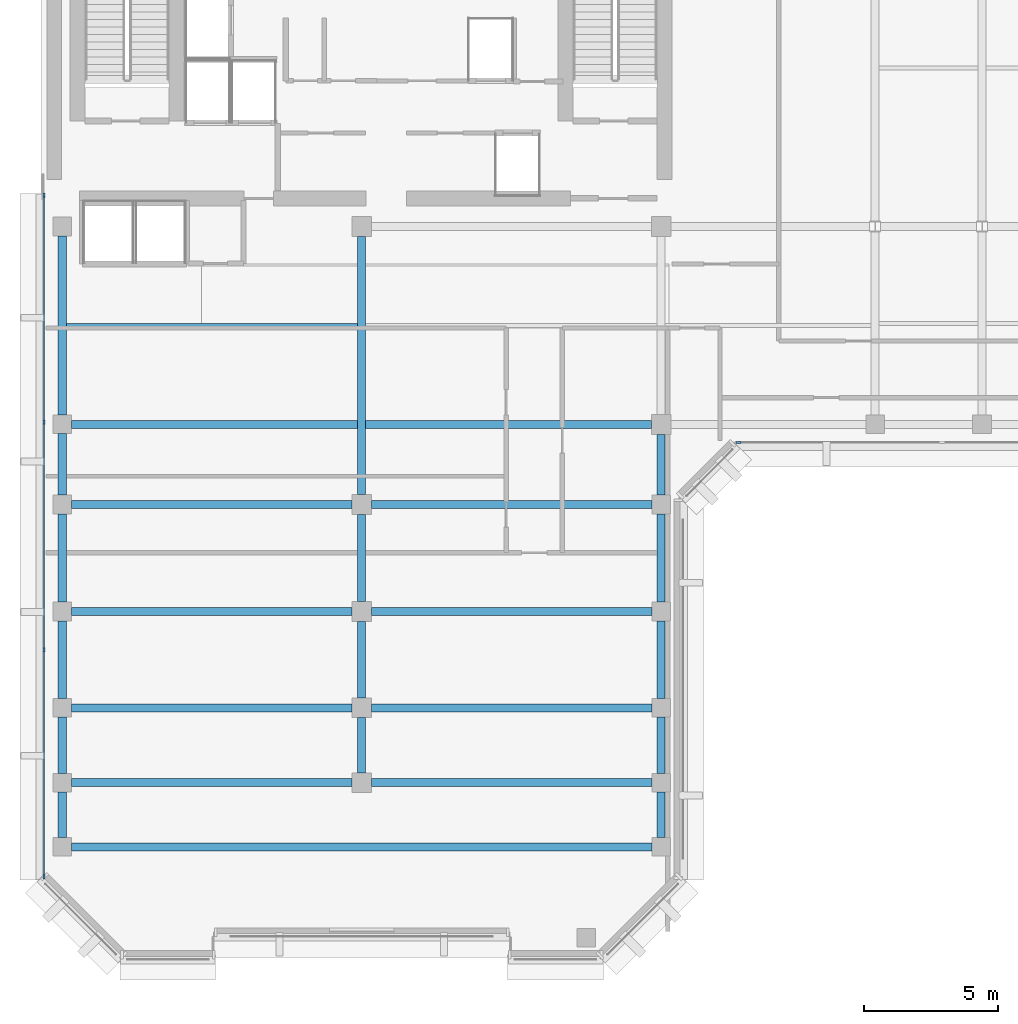
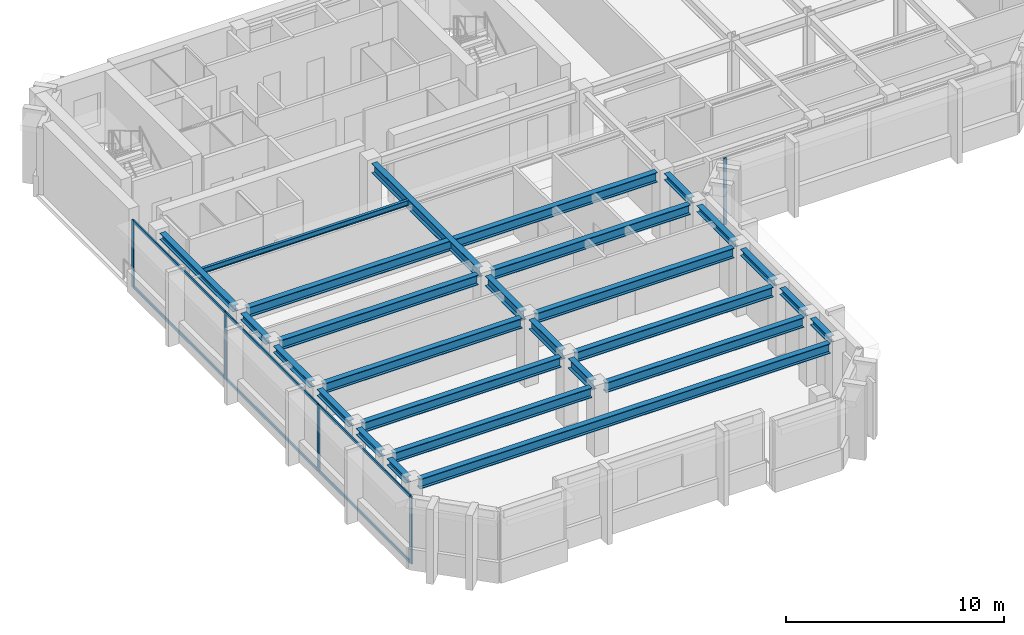
# One storey, part 2 of 12: 26 beams, 11 members, 2 elements without a shape of their own.
"""IFC4 building model written with IfcOpenShell, lengths in metres."""

from ifc_helpers import new_model, si_unit, direction, frame, origin, origin_2d, place, context, subcontext, project, spatial, rectangle, i_section, extrude, material, layer, layer_set, material_profile, profile_set, type_object, element, aggregate, save


model = new_model("IFC4")

# Units and contexts
model_context = context("Model", 3, precision=1e-05, world=origin(), true_north=direction((0.0, 1.0)))
body_context = subcontext(model_context, "Body", "Model", "MODEL_VIEW")
ifc_project = project(units=[si_unit("LENGTHUNIT", "METRE"), si_unit("AREAUNIT", "SQUARE_METRE"), si_unit("VOLUMEUNIT", "CUBIC_METRE"), si_unit("PLANEANGLEUNIT", "RADIAN"), si_unit("MASSUNIT", "GRAM", prefix="KILO")], contexts=[model_context])

# Site, building, storey
site_placement = place(None, origin())
site = spatial("IfcSite", under=ifc_project, at=site_placement, CompositionType="ELEMENT")
building_placement = place(site_placement, origin())
building = spatial("IfcBuilding", under=site, at=building_placement, Name="Kefirva Bronze Tower", CompositionType="ELEMENT")
storey_placement = place(building_placement, frame((0.0, 0.0, 327.68994140625)))
storey = spatial("IfcBuildingStorey", under=building, at=storey_placement, Name="L80", CompositionType="ELEMENT", Elevation=327.68994140625)

# Curtain wall, member
ifc_material_1 = material(Name="Bronze anodised aluminium", Category="aluminium")
ifc_layer = layer(ifc_material_1, 0.179931640625, Name="Bronze anodised aluminium")
ifc_layer_set = layer_set([ifc_layer], Name="Bronze anodised aluminium")
curtain_wall_type = type_object("IfcCurtainWallType", Name="Unitised Bronze Ribbon Curtain Wall Zone 4", PredefinedType="USERDEFINED", material=ifc_layer_set)
curtain_wall_1_placement = place(storey_placement, origin())
curtain_wall_1 = element("IfcCurtainWall", 1, at=curtain_wall_1_placement, inside=storey, type_object=curtain_wall_type, Name="L80 Curtain Wall 1", ObjectType="UNITISED CURTAIN WALL", PredefinedType="USERDEFINED")
ifc_material_profile_1 = material_profile(ifc_material_1, rectangle(XDim=0.074951171875, YDim=0.179931640625, at=origin_2d()), Name="ALU 75x180")
ifc_profile_set_1 = profile_set([ifc_material_profile_1], Name="Bronze anodised aluminium")
member_type_1 = type_object("IfcMemberType", Name="Bronze Mullion 75x180", PredefinedType="MULLION", material=ifc_profile_set_1)
member_1_placement = place(storey_placement, frame((26.092529296875, 25.1201171875, 0.0), z_axis=(0.0, 0.0, 1.0), x_axis=(0.0, 1.0, 0.0)))
member_1 = element("IfcMember", 2, at=member_1_placement, type_object=member_type_1, Name="CW-04 mullion 1", PredefinedType="MULLION", context=body_context, shape_type="SweptSolid", body=[
    extrude(rectangle(XDim=0.074951171875, YDim=0.179931640625, at=origin_2d()), origin(), (0.0, 0.0, 1.0), 3.739990234375),
])
aggregate(curtain_wall_1, [member_1])

# Curtain wall, members
curtain_wall_2_placement = place(storey_placement, origin())
curtain_wall_2 = element("IfcCurtainWall", 3, at=curtain_wall_2_placement, inside=storey, type_object=curtain_wall_type, Name="L80 Curtain Wall 4", ObjectType="UNITISED CURTAIN WALL", PredefinedType="USERDEFINED")
member_2_placement = place(storey_placement, frame((0.1201171875, 34.357421875, 0.0), z_axis=(0.0, 0.0, 1.0), x_axis=(1.0, 0.0, 0.0)))
member_2 = element("IfcMember", 4, at=member_2_placement, type_object=member_type_1, Name="CW-04 mullion 1", PredefinedType="MULLION", context=body_context, shape_type="SweptSolid", body=[
    extrude(rectangle(XDim=0.074951171875, YDim=0.179931640625, at=origin_2d()), origin(), (0.0, 0.0, 1.0), 3.739990234375),
])
member_3_placement = place(storey_placement, frame((0.1201171875, 25.881591796875, 0.0), z_axis=(0.0, 0.0, 1.0), x_axis=(1.0, 0.0, 0.0)))
member_3 = element("IfcMember", 5, at=member_3_placement, type_object=member_type_1, Name="CW-04 mullion 2", PredefinedType="MULLION", context=body_context, shape_type="SweptSolid", body=[
    extrude(rectangle(XDim=0.074951171875, YDim=0.179931640625, at=origin_2d()), origin(), (0.0, 0.0, 1.0), 3.739990234375),
])
member_4_placement = place(storey_placement, frame((0.1201171875, 17.368408203125, 0.0), z_axis=(0.0, 0.0, 1.0), x_axis=(1.0, 0.0, 0.0)))
member_4 = element("IfcMember", 6, at=member_4_placement, type_object=member_type_1, Name="CW-04 mullion 3", PredefinedType="MULLION", context=body_context, shape_type="SweptSolid", body=[
    extrude(rectangle(XDim=0.074951171875, YDim=0.179931640625, at=origin_2d()), origin(), (0.0, 0.0, 1.0), 3.739990234375),
])
member_5_placement = place(storey_placement, frame((0.1201171875, 8.892578125, 0.0), z_axis=(0.0, 0.0, 1.0), x_axis=(1.0, 0.0, 0.0)))
member_5 = element("IfcMember", 7, at=member_5_placement, type_object=member_type_1, Name="CW-04 mullion 4", PredefinedType="MULLION", context=body_context, shape_type="SweptSolid", body=[
    extrude(rectangle(XDim=0.074951171875, YDim=0.179931640625, at=origin_2d()), origin(), (0.0, 0.0, 1.0), 3.739990234375),
])
ifc_material_profile_2 = material_profile(ifc_material_1, rectangle(XDim=0.074951171875, YDim=0.14990234375, at=origin_2d()), Name="ALU 75x150")
ifc_profile_set_2 = profile_set([ifc_material_profile_2], Name="Bronze anodised aluminium")
member_type_2 = type_object("IfcMemberType", Name="Bronze Transom 75x150", PredefinedType="USERDEFINED", material=ifc_profile_set_2)
member_6_placement = place(storey_placement, frame((0.1201171875, 34.320068359375, 0.03759765625), z_axis=(0.0, -1.0, 0.0), x_axis=(1.0, 0.0, 0.0)))
member_6 = element("IfcMember", 8, at=member_6_placement, type_object=member_type_2, Name="CW-04 transom 1.1", ObjectType="TRANSOM", PredefinedType="USERDEFINED", context=body_context, shape_type="SweptSolid", body=[
    extrude(rectangle(XDim=0.074951171875, YDim=0.14990234375, at=origin_2d()), origin(), (0.0, 0.0, 1.0), 8.40087890625),
])
member_7_placement = place(storey_placement, frame((0.1201171875, 34.320068359375, 3.70263671875), z_axis=(0.0, -1.0, 0.0), x_axis=(1.0, 0.0, 0.0)))
member_7 = element("IfcMember", 9, at=member_7_placement, type_object=member_type_2, Name="CW-04 transom 1.2", ObjectType="TRANSOM", PredefinedType="USERDEFINED", context=body_context, shape_type="SweptSolid", body=[
    extrude(rectangle(XDim=0.074951171875, YDim=0.14990234375, at=origin_2d()), origin(), (0.0, 0.0, 1.0), 8.40087890625),
])
member_8_placement = place(storey_placement, frame((0.1201171875, 25.84423828125, 0.03759765625), z_axis=(0.0, -1.0, 0.0), x_axis=(1.0, 0.0, 0.0)))
member_8 = element("IfcMember", 10, at=member_8_placement, type_object=member_type_2, Name="CW-04 transom 2.1", ObjectType="TRANSOM", PredefinedType="USERDEFINED", context=body_context, shape_type="SweptSolid", body=[
    extrude(rectangle(XDim=0.074951171875, YDim=0.14990234375, at=origin_2d()), origin(), (0.0, 0.0, 1.0), 8.4384765625),
])
member_9_placement = place(storey_placement, frame((0.1201171875, 25.84423828125, 3.70263671875), z_axis=(0.0, -1.0, 0.0), x_axis=(1.0, 0.0, 0.0)))
member_9 = element("IfcMember", 11, at=member_9_placement, type_object=member_type_2, Name="CW-04 transom 2.2", ObjectType="TRANSOM", PredefinedType="USERDEFINED", context=body_context, shape_type="SweptSolid", body=[
    extrude(rectangle(XDim=0.074951171875, YDim=0.14990234375, at=origin_2d()), origin(), (0.0, 0.0, 1.0), 8.4384765625),
])
member_10_placement = place(storey_placement, frame((0.1201171875, 17.330810546875, 0.03759765625), z_axis=(0.0, -1.0, 0.0), x_axis=(1.0, 0.0, 0.0)))
member_10 = element("IfcMember", 12, at=member_10_placement, type_object=member_type_2, Name="CW-04 transom 3.1", ObjectType="TRANSOM", PredefinedType="USERDEFINED", context=body_context, shape_type="SweptSolid", body=[
    extrude(rectangle(XDim=0.074951171875, YDim=0.14990234375, at=origin_2d()), origin(), (0.0, 0.0, 1.0), 8.40087890625),
])
member_11_placement = place(storey_placement, frame((0.1201171875, 17.330810546875, 3.70263671875), z_axis=(0.0, -1.0, 0.0), x_axis=(1.0, 0.0, 0.0)))
member_11 = element("IfcMember", 13, at=member_11_placement, type_object=member_type_2, Name="CW-04 transom 3.2", ObjectType="TRANSOM", PredefinedType="USERDEFINED", context=body_context, shape_type="SweptSolid", body=[
    extrude(rectangle(XDim=0.074951171875, YDim=0.14990234375, at=origin_2d()), origin(), (0.0, 0.0, 1.0), 8.40087890625),
])
aggregate(curtain_wall_2, [member_2, member_3, member_4, member_5, member_6, member_7, member_8, member_9, member_10, member_11])

# Beams
ifc_material_2 = material(Name="Steel S355", Category="steel")
ifc_material_profile_3 = material_profile(ifc_material_2, i_section(OverallWidth=0.14990234375, OverallDepth=0.300048828125, WebThickness=0.007080078125, FlangeThickness=0.0107421875, at=origin_2d()), Name="IPE 300")
ifc_profile_set_3 = profile_set([ifc_material_profile_3], Name="Steel S355")
beam_type_1 = type_object("IfcBeamType", Name="Steel Floor Joist IPE 300", PredefinedType="JOIST", material=ifc_profile_set_3)
beam_1_placement = place(storey_placement, frame((0.949951171875, 29.489990234375, 3.590087890625), z_axis=(1.0, 0.0, 0.0), x_axis=(0.0, 1.0, 0.0)))
element("IfcBeam", 14, at=beam_1_placement, inside=storey, type_object=beam_type_1, Name="L80 JST-L80-0-294", PredefinedType="JOIST", context=body_context, shape_type="SweptSolid", body=[
    extrude(i_section(OverallWidth=0.14990234375, OverallDepth=0.300048828125, WebThickness=0.007080078125, FlangeThickness=0.0107421875, at=origin_2d()), origin(), (0.0, 0.0, 1.0), 10.900146484375),
])
ifc_material_profile_4 = material_profile(ifc_material_2, i_section(OverallWidth=0.300048828125, OverallDepth=0.550048828125, WebThickness=0.014892578125, FlangeThickness=0.029052734375, at=origin_2d()), Name="HEB 550")
ifc_profile_set_4 = profile_set([ifc_material_profile_4], Name="Steel S355")
beam_type_2 = type_object("IfcBeamType", Name="Steel Girder HEB 550", PredefinedType="USERDEFINED", material=ifc_profile_set_4)
beam_2_placement = place(storey_placement, frame((1.14990234375, 10.0, 3.465087890625), z_axis=(1.0, 0.0, 0.0), x_axis=(0.0, 1.0, 0.0)))
element("IfcBeam", 15, at=beam_2_placement, inside=storey, type_object=beam_type_2, Name="L80 BM-L80-EW-0-100", ObjectType="GIRDER", PredefinedType="USERDEFINED", context=body_context, shape_type="SweptSolid", body=[
    extrude(i_section(OverallWidth=0.300048828125, OverallDepth=0.550048828125, WebThickness=0.014892578125, FlangeThickness=0.029052734375, at=origin_2d()), origin(), (0.0, 0.0, 1.0), 21.7001953125),
])
for number, where, z_axis, x_axis, name in (
    (16, (1.14990234375, 12.39990234375, 3.465087890625), (1.0, 0.0, 0.0), (0.0, 1.0, 0.0), "L80 BM-L80-EW-0-124"),
    (17, (12.3701171875, 12.39990234375, 3.465087890625), (1.0, 0.0, 0.0), (0.0, 1.0, 0.0), "L80 BM-L80-EW-12-124"),
    (18, (1.14990234375, 15.199951171875, 3.465087890625), (1.0, 0.0, 0.0), (0.0, 1.0, 0.0), "L80 BM-L80-EW-0-152"),
    (19, (12.3701171875, 15.199951171875, 3.465087890625), (1.0, 0.0, 0.0), (0.0, 1.0, 0.0), "L80 BM-L80-EW-12-152"),
    (20, (1.14990234375, 18.800048828125, 3.465087890625), (1.0, 0.0, 0.0), (0.0, 1.0, 0.0), "L80 BM-L80-EW-0-188"),
    (21, (12.3701171875, 18.800048828125, 3.465087890625), (1.0, 0.0, 0.0), (0.0, 1.0, 0.0), "L80 BM-L80-EW-12-188"),
    (22, (1.14990234375, 22.800048828125, 3.465087890625), (1.0, 0.0, 0.0), (0.0, 1.0, 0.0), "L80 BM-L80-EW-0-228"),
    (23, (12.3701171875, 22.800048828125, 3.465087890625), (1.0, 0.0, 0.0), (0.0, 1.0, 0.0), "L80 BM-L80-EW-12-228"),
):
    element("IfcBeam", number, at=place(storey_placement, frame(where, z_axis=z_axis, x_axis=x_axis)), inside=storey, type_object=beam_type_2, Name=name, ObjectType="GIRDER", PredefinedType="USERDEFINED", context=body_context, shape_type="SweptSolid", body=[
        extrude(i_section(OverallWidth=0.300048828125, OverallDepth=0.550048828125, WebThickness=0.014892578125, FlangeThickness=0.029052734375, at=origin_2d()), origin(), (0.0, 0.0, 1.0), 10.47998046875),
    ])
beam_3_placement = place(storey_placement, frame((1.14990234375, 25.800048828125, 3.465087890625), z_axis=(1.0, 0.0, 0.0), x_axis=(0.0, 1.0, 0.0)))
element("IfcBeam", 24, at=beam_3_placement, inside=storey, type_object=beam_type_2, Name="L80 BM-L80-EW-0-258", ObjectType="GIRDER", PredefinedType="USERDEFINED", context=body_context, shape_type="SweptSolid", body=[
    extrude(i_section(OverallWidth=0.300048828125, OverallDepth=0.550048828125, WebThickness=0.014892578125, FlangeThickness=0.029052734375, at=origin_2d()), origin(), (0.0, 0.0, 1.0), 21.68017578125),
])
beam_4_placement = place(storey_placement, frame((12.0, 12.77001953125, 3.465087890625), z_axis=(0.0, 1.0, 0.0), x_axis=(-1.0, 0.0, 0.0)))
element("IfcBeam", 25, at=beam_4_placement, inside=storey, type_object=beam_type_2, Name="L80 BM-L80-NS-120-12", ObjectType="GIRDER", PredefinedType="USERDEFINED", context=body_context, shape_type="SweptSolid", body=[
    extrude(i_section(OverallWidth=0.300048828125, OverallDepth=0.550048828125, WebThickness=0.014892578125, FlangeThickness=0.029052734375, at=origin_2d()), origin(), (0.0, 0.0, 1.0), 2.06005859375),
])
beam_5_placement = place(storey_placement, frame((12.0, 15.570068359375, 3.465087890625), z_axis=(0.0, 1.0, 0.0), x_axis=(-1.0, 0.0, 0.0)))
element("IfcBeam", 26, at=beam_5_placement, inside=storey, type_object=beam_type_2, Name="L80 BM-L80-NS-120-15", ObjectType="GIRDER", PredefinedType="USERDEFINED", context=body_context, shape_type="SweptSolid", body=[
    extrude(i_section(OverallWidth=0.300048828125, OverallDepth=0.550048828125, WebThickness=0.014892578125, FlangeThickness=0.029052734375, at=origin_2d()), origin(), (0.0, 0.0, 1.0), 2.85986328125),
])
beam_6_placement = place(storey_placement, frame((12.0, 19.169921875, 3.465087890625), z_axis=(0.0, 1.0, 0.0), x_axis=(-1.0, 0.0, 0.0)))
element("IfcBeam", 27, at=beam_6_placement, inside=storey, type_object=beam_type_2, Name="L80 BM-L80-NS-120-18", ObjectType="GIRDER", PredefinedType="USERDEFINED", context=body_context, shape_type="SweptSolid", body=[
    extrude(i_section(OverallWidth=0.300048828125, OverallDepth=0.550048828125, WebThickness=0.014892578125, FlangeThickness=0.029052734375, at=origin_2d()), origin(), (0.0, 0.0, 1.0), 3.260009765625),
])
beam_7_placement = place(storey_placement, frame((12.0, 23.169921875, 3.465087890625), z_axis=(0.0, 1.0, 0.0), x_axis=(-1.0, 0.0, 0.0)))
element("IfcBeam", 28, at=beam_7_placement, inside=storey, type_object=beam_type_2, Name="L80 BM-L80-NS-120-22", ObjectType="GIRDER", PredefinedType="USERDEFINED", context=body_context, shape_type="SweptSolid", body=[
    extrude(i_section(OverallWidth=0.300048828125, OverallDepth=0.550048828125, WebThickness=0.014892578125, FlangeThickness=0.029052734375, at=origin_2d()), origin(), (0.0, 0.0, 1.0), 9.66015625),
])
ifc_material_profile_5 = material_profile(ifc_material_2, i_section(OverallWidth=0.300048828125, OverallDepth=0.360107421875, WebThickness=0.012451171875, FlangeThickness=0.0224609375, at=origin_2d()), Name="HEB 360")
ifc_profile_set_5 = profile_set([ifc_material_profile_5], Name="Steel S355")
beam_type_3 = type_object("IfcBeamType", Name="Steel Spandrel HEB 360 Ext", PredefinedType="SPANDREL", material=ifc_profile_set_5)
beam_8_placement = place(storey_placement, frame((0.800048828125, 10.35009765625, 3.56005859375), z_axis=(0.0, 1.0, 0.0), x_axis=(-1.0, 0.0, 0.0)))
element("IfcBeam", 29, at=beam_8_placement, inside=storey, type_object=beam_type_3, Name="L80 BM-L80-NS-8-10", PredefinedType="SPANDREL", context=body_context, shape_type="SweptSolid", body=[
    extrude(i_section(OverallWidth=0.300048828125, OverallDepth=0.360107421875, WebThickness=0.012451171875, FlangeThickness=0.0224609375, at=origin_2d()), origin(), (0.0, 0.0, 1.0), 1.699951171875),
])
beam_9_placement = place(storey_placement, frame((0.800048828125, 12.75, 3.56005859375), z_axis=(0.0, 1.0, 0.0), x_axis=(-1.0, 0.0, 0.0)))
element("IfcBeam", 30, at=beam_9_placement, inside=storey, type_object=beam_type_3, Name="L80 BM-L80-NS-8-12", PredefinedType="SPANDREL", context=body_context, shape_type="SweptSolid", body=[
    extrude(i_section(OverallWidth=0.300048828125, OverallDepth=0.360107421875, WebThickness=0.012451171875, FlangeThickness=0.0224609375, at=origin_2d()), origin(), (0.0, 0.0, 1.0), 2.10009765625),
])
beam_10_placement = place(storey_placement, frame((0.800048828125, 15.550048828125, 3.56005859375), z_axis=(0.0, 1.0, 0.0), x_axis=(-1.0, 0.0, 0.0)))
element("IfcBeam", 31, at=beam_10_placement, inside=storey, type_object=beam_type_3, Name="L80 BM-L80-NS-8-15", PredefinedType="SPANDREL", context=body_context, shape_type="SweptSolid", body=[
    extrude(i_section(OverallWidth=0.300048828125, OverallDepth=0.360107421875, WebThickness=0.012451171875, FlangeThickness=0.0224609375, at=origin_2d()), origin(), (0.0, 0.0, 1.0), 2.89990234375),
])
beam_11_placement = place(storey_placement, frame((0.800048828125, 19.14990234375, 3.56005859375), z_axis=(0.0, 1.0, 0.0), x_axis=(-1.0, 0.0, 0.0)))
element("IfcBeam", 32, at=beam_11_placement, inside=storey, type_object=beam_type_3, Name="L80 BM-L80-NS-8-18", PredefinedType="SPANDREL", context=body_context, shape_type="SweptSolid", body=[
    extrude(i_section(OverallWidth=0.300048828125, OverallDepth=0.360107421875, WebThickness=0.012451171875, FlangeThickness=0.0224609375, at=origin_2d()), origin(), (0.0, 0.0, 1.0), 3.300048828125),
])
beam_12_placement = place(storey_placement, frame((0.800048828125, 23.14990234375, 3.56005859375), z_axis=(0.0, 1.0, 0.0), x_axis=(-1.0, 0.0, 0.0)))
element("IfcBeam", 33, at=beam_12_placement, inside=storey, type_object=beam_type_3, Name="L80 BM-L80-NS-8-22", PredefinedType="SPANDREL", context=body_context, shape_type="SweptSolid", body=[
    extrude(i_section(OverallWidth=0.300048828125, OverallDepth=0.360107421875, WebThickness=0.012451171875, FlangeThickness=0.0224609375, at=origin_2d()), origin(), (0.0, 0.0, 1.0), 2.300048828125),
])
beam_13_placement = place(storey_placement, frame((0.800048828125, 26.14990234375, 3.56005859375), z_axis=(0.0, 1.0, 0.0), x_axis=(-1.0, 0.0, 0.0)))
element("IfcBeam", 34, at=beam_13_placement, inside=storey, type_object=beam_type_3, Name="L80 BM-L80-NS-8-25", PredefinedType="SPANDREL", context=body_context, shape_type="SweptSolid", body=[
    extrude(i_section(OverallWidth=0.300048828125, OverallDepth=0.360107421875, WebThickness=0.012451171875, FlangeThickness=0.0224609375, at=origin_2d()), origin(), (0.0, 0.0, 1.0), 6.7001953125),
])
beam_14_placement = place(storey_placement, frame((23.199951171875, 10.35009765625, 3.56005859375), z_axis=(0.0, 1.0, 0.0), x_axis=(-1.0, 0.0, 0.0)))
element("IfcBeam", 35, at=beam_14_placement, inside=storey, type_object=beam_type_3, Name="L80 BM-L80-NS-232-10", PredefinedType="SPANDREL", context=body_context, shape_type="SweptSolid", body=[
    extrude(i_section(OverallWidth=0.300048828125, OverallDepth=0.360107421875, WebThickness=0.012451171875, FlangeThickness=0.0224609375, at=origin_2d()), origin(), (0.0, 0.0, 1.0), 1.699951171875),
])
beam_15_placement = place(storey_placement, frame((23.199951171875, 12.75, 3.56005859375), z_axis=(0.0, 1.0, 0.0), x_axis=(-1.0, 0.0, 0.0)))
element("IfcBeam", 36, at=beam_15_placement, inside=storey, type_object=beam_type_3, Name="L80 BM-L80-NS-232-12", PredefinedType="SPANDREL", context=body_context, shape_type="SweptSolid", body=[
    extrude(i_section(OverallWidth=0.300048828125, OverallDepth=0.360107421875, WebThickness=0.012451171875, FlangeThickness=0.0224609375, at=origin_2d()), origin(), (0.0, 0.0, 1.0), 2.10009765625),
])
beam_16_placement = place(storey_placement, frame((23.199951171875, 15.550048828125, 3.56005859375), z_axis=(0.0, 1.0, 0.0), x_axis=(-1.0, 0.0, 0.0)))
element("IfcBeam", 37, at=beam_16_placement, inside=storey, type_object=beam_type_3, Name="L80 BM-L80-NS-232-15", PredefinedType="SPANDREL", context=body_context, shape_type="SweptSolid", body=[
    extrude(i_section(OverallWidth=0.300048828125, OverallDepth=0.360107421875, WebThickness=0.012451171875, FlangeThickness=0.0224609375, at=origin_2d()), origin(), (0.0, 0.0, 1.0), 2.89990234375),
])
beam_17_placement = place(storey_placement, frame((23.199951171875, 19.14990234375, 3.56005859375), z_axis=(0.0, 1.0, 0.0), x_axis=(-1.0, 0.0, 0.0)))
element("IfcBeam", 38, at=beam_17_placement, inside=storey, type_object=beam_type_3, Name="L80 BM-L80-NS-232-18", PredefinedType="SPANDREL", context=body_context, shape_type="SweptSolid", body=[
    extrude(i_section(OverallWidth=0.300048828125, OverallDepth=0.360107421875, WebThickness=0.012451171875, FlangeThickness=0.0224609375, at=origin_2d()), origin(), (0.0, 0.0, 1.0), 3.300048828125),
])
beam_18_placement = place(storey_placement, frame((23.199951171875, 23.14990234375, 3.56005859375), z_axis=(0.0, 1.0, 0.0), x_axis=(-1.0, 0.0, 0.0)))
element("IfcBeam", 39, at=beam_18_placement, inside=storey, type_object=beam_type_3, Name="L80 BM-L80-NS-232-22", PredefinedType="SPANDREL", context=body_context, shape_type="SweptSolid", body=[
    extrude(i_section(OverallWidth=0.300048828125, OverallDepth=0.360107421875, WebThickness=0.012451171875, FlangeThickness=0.0224609375, at=origin_2d()), origin(), (0.0, 0.0, 1.0), 2.280029296875),
])

save(model, "model.ifc")
